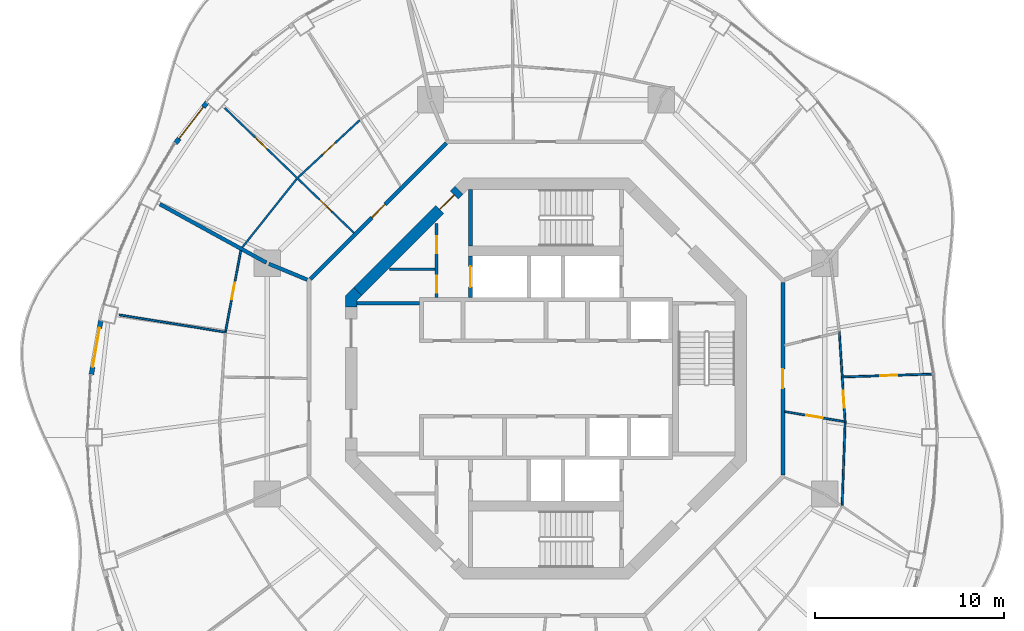
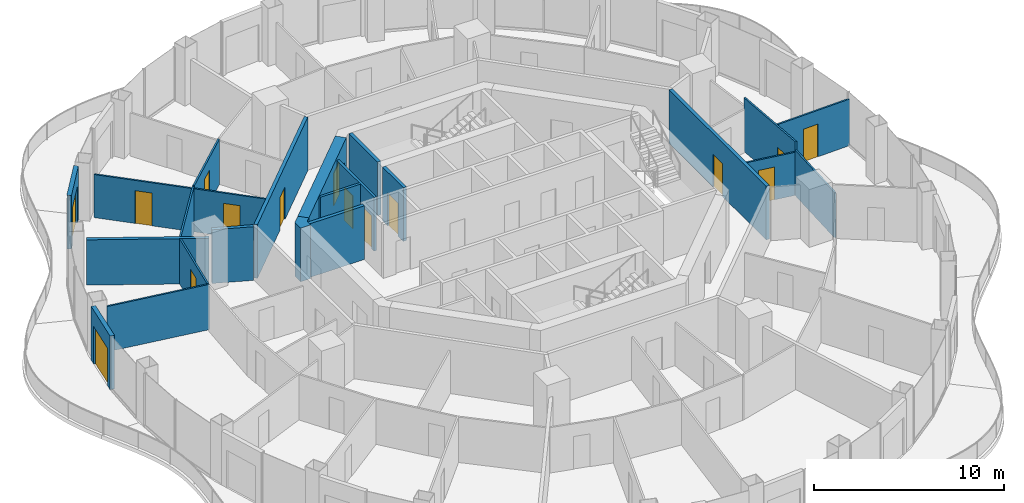
# One storey, part 12 of 17: 22 walls, 15 doors, 15 openings.
"""IFC4 building model written with IfcOpenShell, lengths in metres."""

from ifc_helpers import new_model, si_unit, direction, frame, frame_2d, origin, place, context, subcontext, project, spatial, polyline, rectangle, outline, extrude, material, layer, layer_set, type_object, element, fill, save


model = new_model("IFC4")

# Units and contexts
model_context = context("Model", 3, precision=1e-05, world=origin(), true_north=direction((0.0, 1.0)))
body_context = subcontext(model_context, "Body", "Model", "MODEL_VIEW")
ifc_project = project(units=[si_unit("LENGTHUNIT", "METRE"), si_unit("AREAUNIT", "SQUARE_METRE"), si_unit("VOLUMEUNIT", "CUBIC_METRE"), si_unit("PLANEANGLEUNIT", "RADIAN"), si_unit("MASSUNIT", "GRAM", prefix="KILO")], contexts=[model_context])

# Site, building, storey
site_placement = place(None, origin())
site = spatial("IfcSite", under=ifc_project, at=site_placement, CompositionType="ELEMENT")
building_placement = place(site_placement, origin())
building = spatial("IfcBuilding", under=site, at=building_placement, Name="Nagisa Residences", CompositionType="ELEMENT")
storey_placement = place(building_placement, frame((0.0, 0.0, 269.60009765625)))
storey = spatial("IfcBuildingStorey", under=building, at=storey_placement, Name="L68", CompositionType="ELEMENT", Elevation=269.60009765625)

# Walls
ifc_material_1 = material(Name="Gypsum board on steel studs", Category="steel")
ifc_layer_1 = layer(ifc_material_1, 0.199951171875)
ifc_layer_set_1 = layer_set([ifc_layer_1], Name="Apartment compartment wall EI60 200")
wall_type_1 = type_object("IfcWallType", Name="Apartment compartment wall EI60 200", PredefinedType="PARTITIONING", material=ifc_layer_set_1)
wall_1_placement = place(storey_placement, frame((-12.6572265625, 5.24267578125, 0.0), z_axis=(0.0, 0.0, 1.0), x_axis=(-0.923869415315, 0.382707856524, 0.0)))
element("IfcWall", 1, at=wall_1_placement, inside=storey, type_object=wall_type_1, Name="wall:L68:u04", PredefinedType="PARTITIONING", context=body_context, shape_type="SweptSolid", body=[
    extrude(rectangle(XDim=2.2001953125, YDim=0.199951171875, at=frame_2d((1.10009765625, 0.0))), origin(), (0.0, 0.0, 1.0), 3.43994140625),
])
wall_2_placement = place(storey_placement, frame((-14.825927734375, 6.14697265625, 0.0), z_axis=(0.0, 0.0, 1.0), x_axis=(-0.876484755865, 0.481429613481, 0.0)))
element("IfcWall", 2, at=wall_2_placement, inside=storey, type_object=wall_type_1, Name="wall:L68:u05", PredefinedType="PARTITIONING", context=body_context, shape_type="SweptSolid", body=[
    extrude(rectangle(XDim=6.43896484375, YDim=0.199951171875, at=frame_2d((3.219482421875, 0.0))), origin(), (0.0, 0.0, 1.0), 2.90478515625),
])

# Wall, opening, door
ifc_material_2 = material(Name="Gypsum board on steel studs", Category="steel")
ifc_layer_2 = layer(ifc_material_2, 0.199951171875)
ifc_layer_set_2 = layer_set([ifc_layer_2], Name="Apartment entry wall EI60 200")
wall_type_2 = type_object("IfcWallType", Name="Apartment entry wall EI60 200", PredefinedType="PARTITIONING", material=ifc_layer_set_2)
wall_3_placement = place(storey_placement, frame((12.564697265625, -5.1044921875, 0.0), z_axis=(0.0, 0.0, 1.0), x_axis=(0.0, 1.0, 0.0)))
wall_3 = element("IfcWall", 3, at=wall_3_placement, inside=storey, type_object=wall_type_2, Name="wall:L68:u10", PredefinedType="PARTITIONING", context=body_context, shape_type="SweptSolid", body=[
    extrude(rectangle(XDim=10.208984375, YDim=0.199951171875, at=frame_2d((5.1044921875, 0.0))), origin(), (0.0, 0.0, 1.0), 3.43994140625),
])
opening_1_placement = place(wall_3_placement, frame((4.6044921875, 0.0, 0.0)))
opening_1 = element("IfcOpeningElement", 4, at=opening_1_placement, cuts=wall_3, Name="Opening L68-U31", PredefinedType="OPENING", context=body_context, shape_type="SweptSolid", body=[
    extrude(rectangle(XDim=1.0, YDim=2.10009765625, at=frame_2d((0.5, 1.050048828125))), frame((0.0, 0.10986328125, 0.0), z_axis=(0.0, -1.0, 0.0), x_axis=(1.0, 0.0, 0.0)), (0.0, 0.0, 1.0), 0.219970703125),
])
ifc_material_3 = material(Name="Timber fire door set", Category="wood")
door_type_1 = type_object("IfcDoorType", Name="Apartment entry door FD30S 1000x2100", OperationType="NOTDEFINED", PredefinedType="DOOR", material=ifc_material_3)
door_1_placement = place(opening_1_placement, frame((1.0, 0.0, 0.0), x_axis=(-1.0, 0.0, 0.0)))
door_1 = element("IfcDoor", 5, at=door_1_placement, inside=storey, type_object=door_type_1, Name="Entry door, Apartment 68E", OperationType="SINGLE_SWING_RIGHT", OverallHeight=2.10009765625, OverallWidth=1.0, PredefinedType="DOOR", context=body_context, shape_type="SweptSolid", body=[
    extrude(rectangle(XDim=1.0, YDim=2.10009765625, at=frame_2d((0.5, 1.050048828125))), frame((0.0, 0.02490234375, 0.0), z_axis=(0.0, -1.0, 0.0), x_axis=(1.0, 0.0, 0.0)), (0.0, 0.0, 1.0), 0.050048828125),
])
fill(opening_1, door_1)

wall_4_placement = place(storey_placement, frame((-5.275146484375, 12.494140625, 0.0), z_axis=(0.0, 0.0, 1.0), x_axis=(-0.707106781187, -0.707106781187, 0.0)))
wall_4 = element("IfcWall", 6, at=wall_4_placement, inside=storey, type_object=wall_type_2, Name="wall:L68:u13", PredefinedType="PARTITIONING", context=body_context, shape_type="SweptSolid", body=[
    extrude(rectangle(XDim=10.209228515625, YDim=0.199951171875, at=frame_2d((5.1044921875, 0.0))), origin(), (0.0, 0.0, 1.0), 3.43994140625),
])
opening_2_placement = place(wall_4_placement, frame((4.6044921875, 0.0, 0.0)))
opening_2 = element("IfcOpeningElement", 7, at=opening_2_placement, cuts=wall_4, Name="Opening L68-U09", PredefinedType="OPENING", context=body_context, shape_type="SweptSolid", body=[
    extrude(rectangle(XDim=1.0, YDim=2.10009765625, at=frame_2d((0.5, 1.050048828125))), frame((0.0, 0.10986328125, 0.0), z_axis=(0.0, -1.0, 0.0), x_axis=(1.0, 0.0, 0.0)), (0.0, 0.0, 1.0), 0.219970703125),
])
door_2_placement = place(opening_2_placement, frame((1.0, 0.0, 0.0), x_axis=(-1.0, 0.0, 0.0)))
door_2 = element("IfcDoor", 8, at=door_2_placement, inside=storey, type_object=door_type_1, Name="Entry door, Apartment 68B", OperationType="SINGLE_SWING_RIGHT", OverallHeight=2.10009765625, OverallWidth=1.0, PredefinedType="DOOR", context=body_context, shape_type="SweptSolid", body=[
    extrude(rectangle(XDim=1.0, YDim=2.10009765625, at=frame_2d((0.5, 1.050048828125))), frame((0.0, 0.02490234375, 0.0), z_axis=(0.0, -1.0, 0.0), x_axis=(1.0, 0.0, 0.0)), (0.0, 0.0, 1.0), 0.050048828125),
])
fill(opening_2, door_2)

ifc_material_4 = material(Name="Gypsum board on steel studs", Category="steel")
ifc_layer_3 = layer(ifc_material_4, 0.10009765625)
ifc_layer_set_3 = layer_set([ifc_layer_3], Name="Apartment partition 100")
wall_type_3 = type_object("IfcWallType", Name="Apartment partition 100", PredefinedType="PARTITIONING", material=ifc_layer_set_3)
wall_5_placement = place(storey_placement, frame((12.663330078125, -1.75146484375, 0.0), z_axis=(0.0, 0.0, 1.0), x_axis=(0.98626156497, -0.165191178529, 0.0)))
wall_5 = element("IfcWall", 9, at=wall_5_placement, inside=storey, type_object=wall_type_3, Name="wall:L68:u18", PredefinedType="PARTITIONING", context=body_context, shape_type="SweptSolid", body=[
    extrude(rectangle(XDim=3.1982421875, YDim=0.10009765625, at=frame_2d((1.59912109375, 0.0))), origin(), (0.0, 0.0, 1.0), 2.761962890625),
])
opening_3_placement = place(wall_5_placement, frame((1.149169921875, 0.0, 0.0)))
opening_3 = element("IfcOpeningElement", 10, at=opening_3_placement, cuts=wall_5, Name="Opening L68-U32", PredefinedType="OPENING", context=body_context, shape_type="SweptSolid", body=[
    extrude(rectangle(XDim=0.89990234375, YDim=2.10009765625, at=frame_2d((0.449951171875, 1.050048828125))), frame((0.0, 0.06005859375, 0.0), z_axis=(0.0, -1.0, 0.0), x_axis=(1.0, 0.0, 0.0)), (0.0, 0.0, 1.0), 0.1201171875),
])
ifc_material_5 = material(Name="Timber door set", Category="wood")
door_type_2 = type_object("IfcDoorType", Name="Apartment door 900x2100", OperationType="NOTDEFINED", PredefinedType="DOOR", material=ifc_material_5)
door_3_placement = place(opening_3_placement, frame((0.89990234375, 0.0, 0.0), x_axis=(-1.0, 0.0, 0.0)))
door_3 = element("IfcDoor", 11, at=door_3_placement, inside=storey, type_object=door_type_2, Name="Door to family bathroom, Apartment 68E", OperationType="SINGLE_SWING_LEFT", OverallHeight=2.10009765625, OverallWidth=0.89990234375, PredefinedType="DOOR", context=body_context, shape_type="SweptSolid", body=[
    extrude(rectangle(XDim=0.89990234375, YDim=2.10009765625, at=frame_2d((0.449951171875, 1.050048828125))), frame((0.0, 0.02490234375, 0.0), z_axis=(0.0, -1.0, 0.0), x_axis=(1.0, 0.0, 0.0)), (0.0, 0.0, 1.0), 0.050048828125),
])
fill(opening_3, door_3)

wall_6_placement = place(storey_placement, frame((15.8701171875, -2.337890625, 0.0), z_axis=(0.0, 0.0, 1.0), x_axis=(-0.064797294757, 0.997898447034, 0.0)))
wall_6 = element("IfcWall", 12, at=wall_6_placement, inside=storey, type_object=wall_type_3, Name="wall:L68:u19", PredefinedType="PARTITIONING", context=body_context, shape_type="SweptSolid", body=[
    extrude(rectangle(XDim=4.856689453125, YDim=0.10009765625, at=frame_2d((2.42822265625, 0.0))), origin(), (0.0, 0.0, 1.0), 3.43994140625),
])
opening_4_placement = place(wall_6_placement, frame((0.789306640625, 0.0, 0.0)))
opening_4 = element("IfcOpeningElement", 13, at=opening_4_placement, cuts=wall_6, Name="Opening L68-U34", PredefinedType="OPENING", context=body_context, shape_type="SweptSolid", body=[
    extrude(rectangle(XDim=0.89990234375, YDim=2.10009765625, at=frame_2d((0.449951171875, 1.050048828125))), frame((0.0, 0.06005859375, 0.0), z_axis=(0.0, -1.0, 0.0), x_axis=(1.0, 0.0, 0.0)), (0.0, 0.0, 1.0), 0.1201171875),
])
door_4_placement = place(opening_4_placement, frame((0.89990234375, 0.0, 0.0), x_axis=(-1.0, 0.0, 0.0)))
door_4 = element("IfcDoor", 14, at=door_4_placement, inside=storey, type_object=door_type_2, Name="Door to kitchen, Apartment 68E", OperationType="SINGLE_SWING_LEFT", OverallHeight=2.10009765625, OverallWidth=0.89990234375, PredefinedType="DOOR", context=body_context, shape_type="SweptSolid", body=[
    extrude(rectangle(XDim=0.89990234375, YDim=2.10009765625, at=frame_2d((0.449951171875, 1.050048828125))), frame((0.0, 0.02490234375, 0.0), z_axis=(0.0, -1.0, 0.0), x_axis=(1.0, 0.0, 0.0)), (0.0, 0.0, 1.0), 0.050048828125),
])
fill(opening_4, door_4)

# Wall
wall_7_placement = place(storey_placement, frame((15.864990234375, -2.337890625, 0.0), z_axis=(0.0, 0.0, 1.0), x_axis=(-0.035902310383, -0.999355304238, 0.0)))
element("IfcWall", 15, at=wall_7_placement, inside=storey, type_object=wall_type_3, Name="wall:L68:u20", PredefinedType="PARTITIONING", context=body_context, shape_type="SweptSolid", body=[
    extrude(rectangle(XDim=4.37939453125, YDim=0.10009765625, at=frame_2d((2.189697265625, 0.0))), origin(), (0.0, 0.0, 1.0), 2.90478515625),
])

# Wall, opening, door
wall_8_placement = place(storey_placement, frame((15.7626953125, 0.0869140625, 0.0), z_axis=(0.0, 0.0, 1.0), x_axis=(0.999492034598, 0.03186962151, 0.0)))
wall_8 = element("IfcWall", 16, at=wall_8_placement, inside=storey, type_object=wall_type_3, Name="wall:L68:u21", PredefinedType="PARTITIONING", context=body_context, shape_type="SweptSolid", body=[
    extrude(rectangle(XDim=4.826171875, YDim=0.10009765625, at=frame_2d((2.4130859375, 0.0))), origin(), (0.0, 0.0, 1.0), 2.98291015625),
])
opening_5_placement = place(wall_8_placement, frame((1.963134765625, 0.0, 0.0)))
opening_5 = element("IfcOpeningElement", 17, at=opening_5_placement, cuts=wall_8, Name="Opening L68-U35", PredefinedType="OPENING", context=body_context, shape_type="SweptSolid", body=[
    extrude(rectangle(XDim=0.89990234375, YDim=2.10009765625, at=frame_2d((0.449951171875, 1.050048828125))), frame((0.0, 0.06005859375, 0.0), z_axis=(0.0, -1.0, 0.0), x_axis=(1.0, 0.0, 0.0)), (0.0, 0.0, 1.0), 0.1201171875),
])
door_5_placement = place(opening_5_placement, origin())
door_5 = element("IfcDoor", 18, at=door_5_placement, inside=storey, type_object=door_type_2, Name="Door to bedroom, Apartment 68E", OperationType="SINGLE_SWING_LEFT", OverallHeight=2.10009765625, OverallWidth=0.89990234375, PredefinedType="DOOR", context=body_context, shape_type="SweptSolid", body=[
    extrude(rectangle(XDim=0.89990234375, YDim=2.10009765625, at=frame_2d((0.449951171875, 1.050048828125))), frame((0.0, 0.02490234375, 0.0), z_axis=(0.0, -1.0, 0.0), x_axis=(1.0, 0.0, 0.0)), (0.0, 0.0, 1.0), 0.050048828125),
])
fill(opening_5, door_5)

wall_9_placement = place(storey_placement, frame((-9.87548828125, 13.702392578125, 0.0), z_axis=(0.0, 0.0, 1.0), x_axis=(-0.732618266441, -0.680639754699, 0.0)))
wall_9 = element("IfcWall", 19, at=wall_9_placement, inside=storey, type_object=wall_type_3, Name="wall:L68:u36", PredefinedType="PARTITIONING", context=body_context, shape_type="SweptSolid", body=[
    extrude(rectangle(XDim=4.466796875, YDim=0.10009765625, at=frame_2d((2.2333984375, 0.0))), origin(), (0.0, 0.0, 1.0), 2.90478515625),
])
opening_6_placement = place(wall_9_placement, frame((1.783447265625, 0.0, 0.0)))
opening_6 = element("IfcOpeningElement", 20, at=opening_6_placement, cuts=wall_9, Name="Opening L68-U12", PredefinedType="OPENING", context=body_context, shape_type="SweptSolid", body=[
    extrude(rectangle(XDim=0.89990234375, YDim=2.10009765625, at=frame_2d((0.449951171875, 1.050048828125))), frame((0.0, 0.06005859375, 0.0), z_axis=(0.0, -1.0, 0.0), x_axis=(1.0, 0.0, 0.0)), (0.0, 0.0, 1.0), 0.1201171875),
])
door_6_placement = place(opening_6_placement, frame((0.89990234375, 0.0, 0.0), x_axis=(-1.0, 0.0, 0.0)))
door_6 = element("IfcDoor", 21, at=door_6_placement, inside=storey, type_object=door_type_2, Name="Door to dining room, Apartment 68B", OperationType="SINGLE_SWING_LEFT", OverallHeight=2.10009765625, OverallWidth=0.89990234375, PredefinedType="DOOR", context=body_context, shape_type="SweptSolid", body=[
    extrude(rectangle(XDim=0.89990234375, YDim=2.10009765625, at=frame_2d((0.449951171875, 1.050048828125))), frame((0.0, 0.02490234375, 0.0), z_axis=(0.0, -1.0, 0.0), x_axis=(1.0, 0.0, 0.0)), (0.0, 0.0, 1.0), 0.050048828125),
])
fill(opening_6, door_6)

# Wall, openings, doors
wall_10_placement = place(storey_placement, frame((-10.183349609375, 7.727294921875, 0.0), z_axis=(0.0, 0.0, 1.0), x_axis=(-0.719063433856, 0.694944442449, 0.0)))
wall_10 = element("IfcWall", 22, at=wall_10_placement, inside=storey, type_object=wall_type_3, Name="wall:L68:u37", PredefinedType="PARTITIONING", context=body_context, shape_type="SweptSolid", body=[
    extrude(rectangle(XDim=9.53515625, YDim=0.10009765625, at=frame_2d((4.767578125, 0.0))), origin(), (0.0, 0.0, 1.0), 2.761962890625),
])
opening_7_placement = place(wall_10_placement, frame((1.636962890625, 0.0, 0.0)))
opening_7 = element("IfcOpeningElement", 23, at=opening_7_placement, cuts=wall_10, Name="Opening L68-U11", PredefinedType="OPENING", context=body_context, shape_type="SweptSolid", body=[
    extrude(rectangle(XDim=0.89990234375, YDim=2.10009765625, at=frame_2d((0.449951171875, 1.050048828125))), frame((0.0, 0.06005859375, 0.0), z_axis=(0.0, -1.0, 0.0), x_axis=(1.0, 0.0, 0.0)), (0.0, 0.0, 1.0), 0.1201171875),
])
opening_8_placement = place(wall_10_placement, frame((6.404541015625, 0.0, 0.0)))
opening_8 = element("IfcOpeningElement", 24, at=opening_8_placement, cuts=wall_10, Name="Opening L68-U13", PredefinedType="OPENING", context=body_context, shape_type="SweptSolid", body=[
    extrude(rectangle(XDim=0.89990234375, YDim=2.10009765625, at=frame_2d((0.449951171875, 1.050048828125))), frame((0.0, 0.06005859375, 0.0), z_axis=(0.0, -1.0, 0.0), x_axis=(1.0, 0.0, 0.0)), (0.0, 0.0, 1.0), 0.1201171875),
])
door_7_placement = place(opening_7_placement, origin())
door_7 = element("IfcDoor", 25, at=door_7_placement, inside=storey, type_object=door_type_2, Name="Door to store, Apartment 68B", OperationType="SINGLE_SWING_LEFT", OverallHeight=2.10009765625, OverallWidth=0.89990234375, PredefinedType="DOOR", context=body_context, shape_type="SweptSolid", body=[
    extrude(rectangle(XDim=0.89990234375, YDim=2.10009765625, at=frame_2d((0.449951171875, 1.050048828125))), frame((0.0, 0.02490234375, 0.0), z_axis=(0.0, -1.0, 0.0), x_axis=(1.0, 0.0, 0.0)), (0.0, 0.0, 1.0), 0.050048828125),
])
fill(opening_7, door_7)
door_8_placement = place(opening_8_placement, origin())
door_8 = element("IfcDoor", 26, at=door_8_placement, inside=storey, type_object=door_type_2, Name="Door to bedroom, Apartment 68B", OperationType="SINGLE_SWING_LEFT", OverallHeight=2.10009765625, OverallWidth=0.89990234375, PredefinedType="DOOR", context=body_context, shape_type="SweptSolid", body=[
    extrude(rectangle(XDim=0.89990234375, YDim=2.10009765625, at=frame_2d((0.449951171875, 1.050048828125))), frame((0.0, 0.02490234375, 0.0), z_axis=(0.0, -1.0, 0.0), x_axis=(1.0, 0.0, 0.0)), (0.0, 0.0, 1.0), 0.050048828125),
])
fill(opening_8, door_8)

# Wall
wall_11_placement = place(storey_placement, frame((-13.2158203125, 10.5888671875, 0.0), z_axis=(0.0, 0.0, 1.0), x_axis=(-0.622251572882, -0.782817335045, 0.0)))
element("IfcWall", 27, at=wall_11_placement, inside=storey, type_object=wall_type_3, Name="wall:L68:u38", PredefinedType="PARTITIONING", context=body_context, shape_type="SweptSolid", body=[
    extrude(rectangle(XDim=4.635986328125, YDim=0.10009765625, at=frame_2d((2.31787109375, 0.0))), origin(), (0.0, 0.0, 1.0), 2.90478515625),
])

# Wall, opening, door
wall_12_placement = place(storey_placement, frame((-16.181396484375, 6.783203125, 0.0), z_axis=(0.0, 0.0, 1.0), x_axis=(-0.185670583745, -0.982612046706, 0.0)))
wall_12 = element("IfcWall", 28, at=wall_12_placement, inside=storey, type_object=wall_type_3, Name="wall:L68:u39", PredefinedType="PARTITIONING", context=body_context, shape_type="SweptSolid", body=[
    extrude(rectangle(XDim=4.35107421875, YDim=0.10009765625, at=frame_2d((2.175537109375, 0.0))), origin(), (0.0, 0.0, 1.0), 2.90478515625),
])
opening_9_placement = place(wall_12_placement, frame((1.7255859375, 0.0, 0.0)))
opening_9 = element("IfcOpeningElement", 29, at=opening_9_placement, cuts=wall_12, Name="Opening L68-U18", PredefinedType="OPENING", context=body_context, shape_type="SweptSolid", body=[
    extrude(rectangle(XDim=0.89990234375, YDim=2.10009765625, at=frame_2d((0.449951171875, 1.050048828125))), frame((0.0, 0.06005859375, 0.0), z_axis=(0.0, -1.0, 0.0), x_axis=(1.0, 0.0, 0.0)), (0.0, 0.0, 1.0), 0.1201171875),
])
door_9_placement = place(opening_9_placement, frame((0.89990234375, 0.0, 0.0), x_axis=(-1.0, 0.0, 0.0)))
door_9 = element("IfcDoor", 30, at=door_9_placement, inside=storey, type_object=door_type_2, Name="Door to bedroom, Apartment 68C", OperationType="SINGLE_SWING_LEFT", OverallHeight=2.10009765625, OverallWidth=0.89990234375, PredefinedType="DOOR", context=body_context, shape_type="SweptSolid", body=[
    extrude(rectangle(XDim=0.89990234375, YDim=2.10009765625, at=frame_2d((0.449951171875, 1.050048828125))), frame((0.0, 0.02490234375, 0.0), z_axis=(0.0, -1.0, 0.0), x_axis=(1.0, 0.0, 0.0)), (0.0, 0.0, 1.0), 0.050048828125),
])
fill(opening_9, door_9)

# Wall
wall_13_placement = place(storey_placement, frame((-16.94921875, 2.45068359375, 0.0), z_axis=(0.0, 0.0, 1.0), x_axis=(-0.986937570833, 0.161103169673, 0.0)))
element("IfcWall", 31, at=wall_13_placement, inside=storey, type_object=wall_type_3, Name="wall:L68:u40", PredefinedType="PARTITIONING", context=body_context, shape_type="SweptSolid", body=[
    extrude(rectangle(XDim=5.743408203125, YDim=0.10009765625, at=frame_2d((2.87158203125, 0.0))), origin(), (0.0, 0.0, 1.0), 2.90478515625),
])

# Wall, opening, door
ifc_material_6 = material(Name="Precast concrete C40/50", Category="concrete")
ifc_layer_4 = layer(ifc_material_6, 0.25)
ifc_layer_set_4 = layer_set([ifc_layer_4], Name="BALCONY DOOR WALL 250")
wall_type_4 = type_object("IfcWallType", Name="BALCONY DOOR WALL 250", PredefinedType="SOLIDWALL", material=ifc_layer_set_4)
wall_14_placement = place(storey_placement, frame((-19.646728515625, 12.4755859375, 0.0), z_axis=(0.0, 0.0, 1.0), x_axis=(0.610475325435, 0.79203527512, 0.0)))
wall_14 = element("IfcWall", 32, at=wall_14_placement, inside=storey, type_object=wall_type_4, Name="wall:L68:bay18", PredefinedType="SOLIDWALL", context=body_context, shape_type="SweptSolid", body=[
    extrude(rectangle(XDim=2.745849609375, YDim=0.25, at=frame_2d((1.373046875, 0.0))), origin(), (0.0, 0.0, 1.0), 3.43994140625),
])
opening_10_placement = place(wall_14_placement, frame((0.322998046875, 0.0, 0.0)))
opening_10 = element("IfcOpeningElement", 33, at=opening_10_placement, cuts=wall_14, Name="Opening BD-L68-07", PredefinedType="OPENING", context=body_context, shape_type="SweptSolid", body=[
    extrude(rectangle(XDim=2.10009765625, YDim=2.39990234375, at=frame_2d((1.050048828125, 1.199951171875))), frame((0.0, 0.135009765625, 0.0), z_axis=(0.0, -1.0, 0.0), x_axis=(1.0, 0.0, 0.0)), (0.0, 0.0, 1.0), 0.27001953125),
])
ifc_material_7 = material(Name="Aluminium and clear glass", Category="aluminium")
door_type_3 = type_object("IfcDoorType", Name="BALCONY SLIDING DOOR 2100x2400", OperationType="SLIDING_TO_LEFT", PredefinedType="DOOR", material=ifc_material_7)
door_10_placement = place(opening_10_placement, origin())
door_10 = element("IfcDoor", 34, at=door_10_placement, inside=storey, type_object=door_type_3, Name="door:L68:bay18", OperationType="SLIDING_TO_LEFT", OverallHeight=2.39990234375, OverallWidth=2.10009765625, PredefinedType="DOOR", context=body_context, shape_type="SweptSolid", body=[
    extrude(rectangle(XDim=2.10009765625, YDim=2.39990234375, at=frame_2d((1.050048828125, 1.199951171875))), frame((0.0, 0.02490234375, 0.0), z_axis=(0.0, -1.0, 0.0), x_axis=(1.0, 0.0, 0.0)), (0.0, 0.0, 1.0), 0.050048828125),
])
fill(opening_10, door_10)

wall_15_placement = place(storey_placement, frame((-24.103271484375, 0.220458984375, 0.0), z_axis=(0.0, 0.0, 1.0), x_axis=(0.172182411767, 0.985065082661, 0.0)))
wall_15 = element("IfcWall", 35, at=wall_15_placement, inside=storey, type_object=wall_type_4, Name="wall:L68:bay22", PredefinedType="SOLIDWALL", context=body_context, shape_type="SweptSolid", body=[
    extrude(rectangle(XDim=2.902587890625, YDim=0.25, at=frame_2d((1.451171875, 0.0))), origin(), (0.0, 0.0, 1.0), 3.43994140625),
])
opening_11_placement = place(wall_15_placement, frame((0.401123046875, 0.0, 0.0)))
opening_11 = element("IfcOpeningElement", 36, at=opening_11_placement, cuts=wall_15, Name="Opening BD-L68-08", PredefinedType="OPENING", context=body_context, shape_type="SweptSolid", body=[
    extrude(rectangle(XDim=2.10009765625, YDim=2.39990234375, at=frame_2d((1.050048828125, 1.199951171875))), frame((0.0, 0.135009765625, 0.0), z_axis=(0.0, -1.0, 0.0), x_axis=(1.0, 0.0, 0.0)), (0.0, 0.0, 1.0), 0.27001953125),
])
door_11_placement = place(opening_11_placement, origin())
door_11 = element("IfcDoor", 37, at=door_11_placement, inside=storey, type_object=door_type_3, Name="door:L68:bay22", OperationType="SLIDING_TO_LEFT", OverallHeight=2.39990234375, OverallWidth=2.10009765625, PredefinedType="DOOR", context=body_context, shape_type="SweptSolid", body=[
    extrude(rectangle(XDim=2.10009765625, YDim=2.39990234375, at=frame_2d((1.050048828125, 1.199951171875))), frame((0.0, 0.02490234375, 0.0), z_axis=(0.0, -1.0, 0.0), x_axis=(1.0, 0.0, 0.0)), (0.0, 0.0, 1.0), 0.050048828125),
])
fill(opening_11, door_11)

# Wall, openings, doors
ifc_material_8 = material(Name="Gypsum board on steel studs", Category="steel")
ifc_layer_5 = layer(ifc_material_8, 0.14990234375)
ifc_layer_set_5 = layer_set([ifc_layer_5], Name="Core partition 150")
wall_type_5 = type_object("IfcWallType", Name="Core partition 150", PredefinedType="PARTITIONING", material=ifc_layer_set_5)
wall_16_placement = place(storey_placement, frame((-5.800048828125, 4.300048828125, 0.0), z_axis=(0.0, 0.0, 1.0), x_axis=(0.0, 1.0, 0.0)))
wall_16 = element("IfcWall", 38, at=wall_16_placement, inside=storey, type_object=wall_type_5, Name="wall:L68:NWp", PredefinedType="PARTITIONING", context=body_context, shape_type="SweptSolid", body=[
    extrude(rectangle(XDim=3.927001953125, YDim=0.14990234375, at=frame_2d((1.96337890625, 0.0))), origin(), (0.0, 0.0, 1.0), 3.43994140625),
])
opening_12_placement = place(wall_16_placement, frame((0.262451171875, 0.0, 0.0)))
opening_12 = element("IfcOpeningElement", 39, at=opening_12_placement, cuts=wall_16, Name="Opening L68-C10", PredefinedType="OPENING", context=body_context, shape_type="SweptSolid", body=[
    extrude(rectangle(XDim=0.89990234375, YDim=2.10009765625, at=frame_2d((0.449951171875, 1.050048828125))), frame((0.0, 0.0849609375, 0.0), z_axis=(0.0, -1.0, 0.0), x_axis=(1.0, 0.0, 0.0)), (0.0, 0.0, 1.0), 0.169921875),
])
opening_13_placement = place(wall_16_placement, frame((2.33837890625, 0.0, 0.0)))
opening_13 = element("IfcOpeningElement", 40, at=opening_13_placement, cuts=wall_16, Name="Opening L68-C11", PredefinedType="OPENING", context=body_context, shape_type="SweptSolid", body=[
    extrude(rectangle(XDim=0.89990234375, YDim=2.10009765625, at=frame_2d((0.449951171875, 1.050048828125))), frame((0.0, 0.0849609375, 0.0), z_axis=(0.0, -1.0, 0.0), x_axis=(1.0, 0.0, 0.0)), (0.0, 0.0, 1.0), 0.169921875),
])
ifc_material_9 = material(Name="Steel fire door", Category="steel")
door_type_4 = type_object("IfcDoorType", Name="Fire door EI30 900x2100 single swing", OperationType="NOTDEFINED", PredefinedType="DOOR", material=ifc_material_9)
door_12_placement = place(opening_12_placement, origin())
door_12 = element("IfcDoor", 41, at=door_12_placement, inside=storey, type_object=door_type_4, Name="Hose reel room door L68", OperationType="SINGLE_SWING_LEFT", OverallHeight=2.10009765625, OverallWidth=0.89990234375, PredefinedType="DOOR", context=body_context, shape_type="SweptSolid", body=[
    extrude(rectangle(XDim=0.89990234375, YDim=2.10009765625, at=frame_2d((0.449951171875, 1.050048828125))), frame((0.0, 0.02490234375, 0.0), z_axis=(0.0, -1.0, 0.0), x_axis=(1.0, 0.0, 0.0)), (0.0, 0.0, 1.0), 0.050048828125),
])
fill(opening_12, door_12)
door_13_placement = place(opening_13_placement, origin())
door_13 = element("IfcDoor", 42, at=door_13_placement, inside=storey, type_object=door_type_4, Name="Cleaner store door L68", OperationType="SINGLE_SWING_LEFT", OverallHeight=2.10009765625, OverallWidth=0.89990234375, PredefinedType="DOOR", context=body_context, shape_type="SweptSolid", body=[
    extrude(rectangle(XDim=0.89990234375, YDim=2.10009765625, at=frame_2d((0.449951171875, 1.050048828125))), frame((0.0, 0.02490234375, 0.0), z_axis=(0.0, -1.0, 0.0), x_axis=(1.0, 0.0, 0.0)), (0.0, 0.0, 1.0), 0.050048828125),
])
fill(opening_13, door_13)

# Walls
wall_17_placement = place(storey_placement, frame((-8.301025390625, 5.800048828125, 0.0), z_axis=(0.0, 0.0, 1.0), x_axis=(1.0, 0.0, 0.0)))
element("IfcWall", 43, at=wall_17_placement, inside=storey, type_object=wall_type_5, Name="wall:L68:NWq", PredefinedType="PARTITIONING", context=body_context, shape_type="SweptSolid", body=[
    extrude(rectangle(XDim=2.426025390625, YDim=0.14990234375, at=frame_2d((1.212890625, 0.0))), origin(), (0.0, 0.0, 1.0), 3.43994140625),
])
ifc_material_10 = material(Name="Gypsum board on steel studs", Category="steel")
ifc_layer_6 = layer(ifc_material_10, 0.199951171875)
ifc_layer_set_6 = layer_set([ifc_layer_6], Name="Core partition 200")
wall_type_6 = type_object("IfcWallType", Name="Core partition 200", PredefinedType="PARTITIONING", material=ifc_layer_set_6)
wall_18_placement = place(storey_placement, frame((-10.024658203125, 4.0, 0.0), z_axis=(0.0, 0.0, 1.0), x_axis=(1.0, 0.0, 0.0)))
element("IfcWall", 44, at=wall_18_placement, inside=storey, type_object=wall_type_6, Name="wall:L68:PNW", PredefinedType="PARTITIONING", context=body_context, shape_type="SweptSolid", body=[
    extrude(rectangle(XDim=3.32470703125, YDim=0.199951171875, at=frame_2d((1.662353515625, 0.0))), origin(), (0.0, 0.0, 1.0), 3.43994140625),
])

# Wall, opening, door
ifc_material_11 = material(Name="Concrete C60", Category="concrete")
ifc_layer_7 = layer(ifc_material_11, 0.60009765625)
ifc_layer_set_7 = layer_set([ifc_layer_7], Name="Core shear wall 600")
wall_type_7 = type_object("IfcWallType", Name="Core shear wall 600", PredefinedType="SHEAR", material=ifc_layer_set_7)
wall_19_placement = place(storey_placement, frame((-4.613037109375, 9.98828125, 0.0), z_axis=(0.0, 0.0, 1.0), x_axis=(-0.707106781187, -0.707106781187, 0.0)))
wall_19 = element("IfcWall", 45, at=wall_19_placement, inside=storey, type_object=wall_type_7, Name="wall:L68:core:flat3", PredefinedType="SHEAR", context=body_context, shape_type="SweptSolid", body=[
    extrude(rectangle(XDim=7.601806640625, YDim=0.60009765625, at=frame_2d((3.80078125, 0.0))), origin(), (0.0, 0.0, 1.0), 3.43994140625),
])
opening_14_placement = place(wall_19_placement, frame((0.350830078125, 0.0, 0.0)))
opening_14 = element("IfcOpeningElement", 46, at=opening_14_placement, cuts=wall_19, Name="Opening L68-C25", PredefinedType="OPENING", context=body_context, shape_type="SweptSolid", body=[
    extrude(rectangle(XDim=1.10009765625, YDim=2.10009765625, at=frame_2d((0.550048828125, 1.050048828125))), frame((0.0, 0.31005859375, 0.0), z_axis=(0.0, -1.0, 0.0), x_axis=(1.0, 0.0, 0.0)), (0.0, 0.0, 1.0), 0.6201171875),
])
ifc_material_12 = material(Name="Steel fire door", Category="steel")
door_type_5 = type_object("IfcDoorType", Name="Fire door EI60 1100x2100 single swing", OperationType="NOTDEFINED", PredefinedType="DOOR", material=ifc_material_12)
door_14_placement = place(opening_14_placement, origin())
door_14 = element("IfcDoor", 47, at=door_14_placement, inside=storey, type_object=door_type_5, Name="Service lobby door L68", OperationType="SINGLE_SWING_RIGHT", OverallHeight=2.10009765625, OverallWidth=1.10009765625, PredefinedType="DOOR", context=body_context, shape_type="SweptSolid", body=[
    extrude(rectangle(XDim=1.10009765625, YDim=2.10009765625, at=frame_2d((0.550048828125, 1.050048828125))), frame((0.0, 0.02490234375, 0.0), z_axis=(0.0, -1.0, 0.0), x_axis=(1.0, 0.0, 0.0)), (0.0, 0.0, 1.0), 0.050048828125),
])
fill(opening_14, door_14)

# Wall
wall_20_placement = place(storey_placement, origin())
element("IfcWall", 48, at=wall_20_placement, inside=storey, type_object=wall_type_7, Name="wall:L68:core:pier3", PredefinedType="SHEAR", context=body_context, shape_type="SweptSolid", body=[
    extrude(outline(polyline([(-10.200439453125, 4.8251953125), (-9.776123046875, 4.40087890625), (-10.024658203125, 4.15234375), (-10.024658203125, 3.80078125), (-10.62451171875, 3.80078125), (-10.62451171875, 4.40087890625), (-10.200439453125, 4.8251953125)])), origin(), (0.0, 0.0, 1.0), 3.43994140625),
])

# Wall, opening, door
ifc_material_13 = material(Name="Concrete C60", Category="concrete")
ifc_layer_8 = layer(ifc_material_13, 0.199951171875)
ifc_layer_set_8 = layer_set([ifc_layer_8], Name="Lift shaft wall 200")
wall_type_8 = type_object("IfcWallType", Name="Lift shaft wall 200", PredefinedType="SOLIDWALL", material=ifc_layer_set_8)
wall_21_placement = place(storey_placement, frame((-4.0, 4.300048828125, 0.0), z_axis=(0.0, 0.0, 1.0), x_axis=(0.0, 1.0, 0.0)))
wall_21 = element("IfcWall", 49, at=wall_21_placement, inside=storey, type_object=wall_type_8, Name="wall:L68:Nb4", PredefinedType="SOLIDWALL", context=body_context, shape_type="SweptSolid", body=[
    extrude(rectangle(XDim=2.199951171875, YDim=0.199951171875, at=frame_2d((1.10009765625, 0.0))), origin(), (0.0, 0.0, 1.0), 3.43994140625),
])
opening_15_placement = place(wall_21_placement, frame((0.550048828125, 0.0, 0.0)))
opening_15 = element("IfcOpeningElement", 50, at=opening_15_placement, cuts=wall_21, Name="Opening L68-C06", PredefinedType="OPENING", context=body_context, shape_type="SweptSolid", body=[
    extrude(rectangle(XDim=1.10009765625, YDim=2.10009765625, at=frame_2d((0.550048828125, 1.050048828125))), frame((0.0, 0.10986328125, 0.0), z_axis=(0.0, -1.0, 0.0), x_axis=(1.0, 0.0, 0.0)), (0.0, 0.0, 1.0), 0.219970703125),
])
ifc_material_14 = material(Name="Stainless steel", Category="steel")
door_type_6 = type_object("IfcDoorType", Name="Lift landing door 1100x2100", OperationType="DOUBLE_DOOR_SLIDING", PredefinedType="DOOR", material=ifc_material_14)
door_15_placement = place(opening_15_placement, origin())
door_15 = element("IfcDoor", 51, at=door_15_placement, inside=storey, type_object=door_type_6, Name="Landing door SV L68", OperationType="DOUBLE_DOOR_SLIDING", OverallHeight=2.10009765625, OverallWidth=1.10009765625, PredefinedType="DOOR", context=body_context, shape_type="SweptSolid", body=[
    extrude(rectangle(XDim=1.10009765625, YDim=2.10009765625, at=frame_2d((0.550048828125, 1.050048828125))), frame((0.0, 0.02490234375, 0.0), z_axis=(0.0, -1.0, 0.0), x_axis=(1.0, 0.0, 0.0)), (0.0, 0.0, 1.0), 0.050048828125),
])
fill(opening_15, door_15)

# Wall
ifc_material_15 = material(Name="Concrete C60", Category="concrete")
ifc_layer_9 = layer(ifc_material_15, 0.199951171875)
ifc_layer_set_9 = layer_set([ifc_layer_9], Name="Stair enclosure wall 200")
wall_type_9 = type_object("IfcWallType", Name="Stair enclosure wall 200", PredefinedType="SOLIDWALL", material=ifc_layer_set_9)
wall_22_placement = place(storey_placement, origin())
element("IfcWall", 52, at=wall_22_placement, inside=storey, type_object=wall_type_9, Name="wall:L68:SN_w", PredefinedType="SOLIDWALL", context=body_context, shape_type="SweptSolid", body=[
    extrude(outline(polyline([(-3.89990234375, 7.024658203125), (-4.10009765625, 7.024658203125), (-4.10009765625, 10.024658203125), (-3.89990234375, 10.024658203125), (-3.89990234375, 7.024658203125)])), origin(), (0.0, 0.0, 1.0), 3.43994140625),
])

save(model, "model.ifc")
